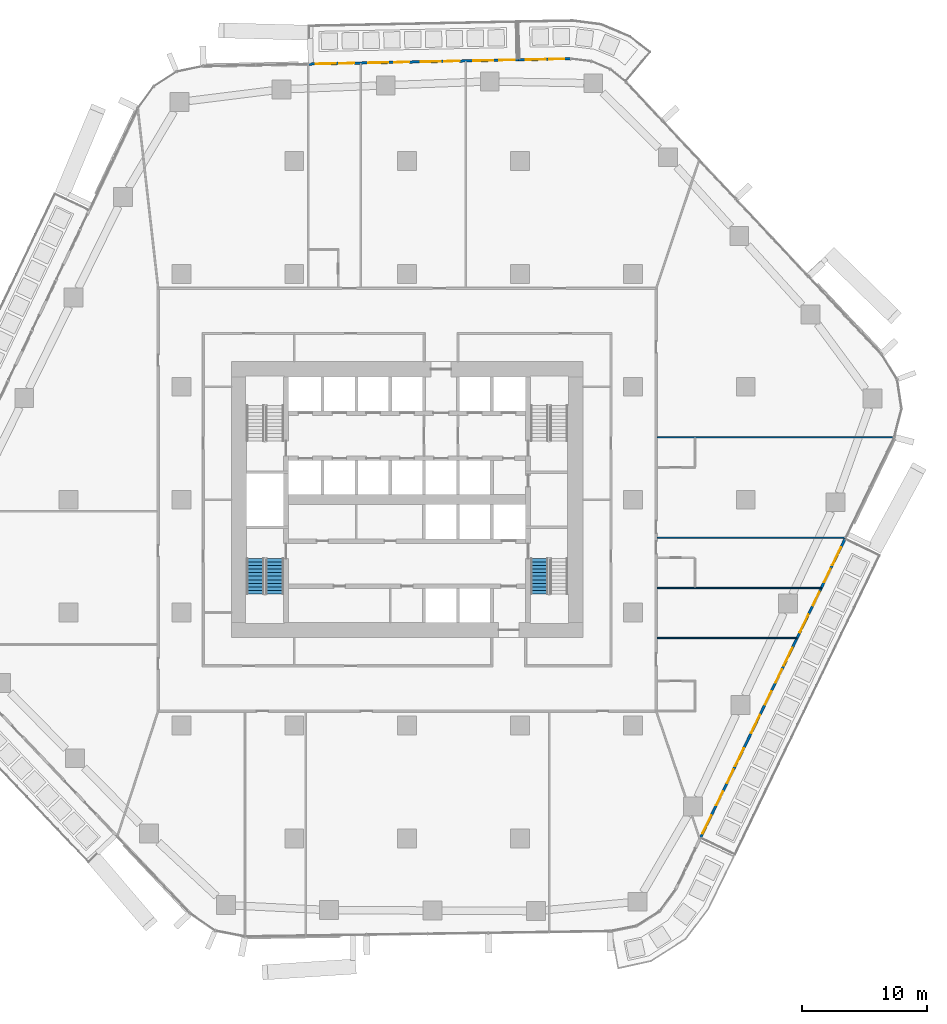
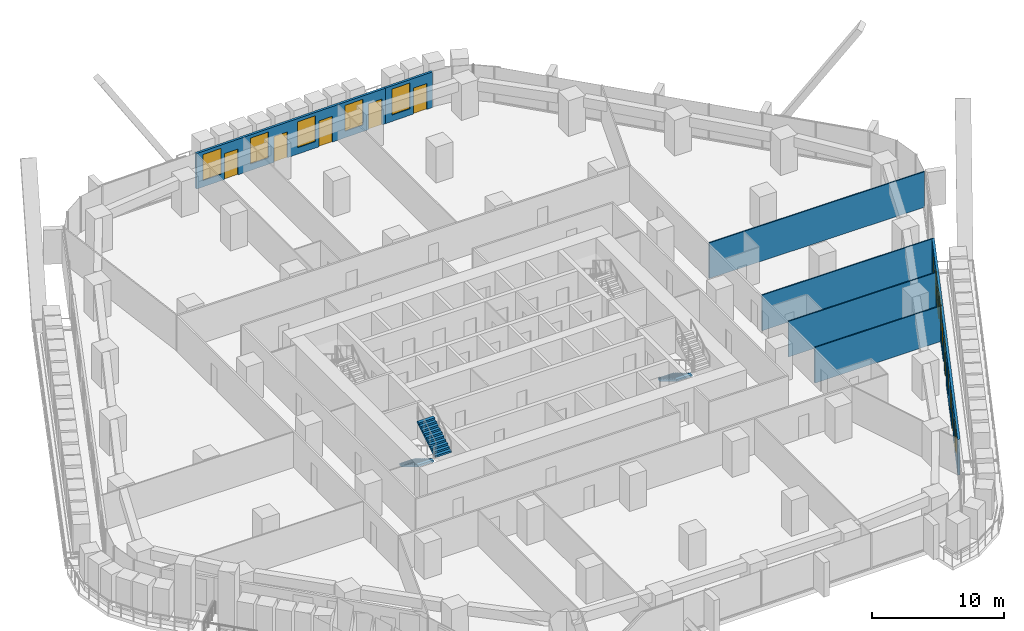
# One storey, part 17 of 24: 11 doors, 11 windows, 7 walls, 3 stair flights, 22 openings, 2 elements without a shape of their own.
"""IFC4 building model written with IfcOpenShell, lengths in metres."""

from ifc_helpers import new_model, si_unit, direction, frame, frame_2d, origin, place, context, subcontext, project, spatial, polyline, rectangle, outline, extrude, material, layer, layer_set, type_object, element, fill, aggregate, save


model = new_model("IFC4")

# Units and contexts
model_context = context("Model", 3, precision=1e-05, world=origin(), true_north=direction((0.0, 1.0)))
body_context = subcontext(model_context, "Body", "Model", "MODEL_VIEW")
ifc_project = project(units=[si_unit("LENGTHUNIT", "METRE"), si_unit("AREAUNIT", "SQUARE_METRE"), si_unit("VOLUMEUNIT", "CUBIC_METRE"), si_unit("PLANEANGLEUNIT", "RADIAN"), si_unit("MASSUNIT", "GRAM", prefix="KILO")], contexts=[model_context])

# Site, building, storey
site_placement = place(None, origin())
site = spatial("IfcSite", under=ifc_project, at=site_placement, CompositionType="ELEMENT")
building_placement = place(site_placement, origin())
building = spatial("IfcBuilding", under=site, at=building_placement, Name="Dongbaek Canopy Tower", CompositionType="ELEMENT")
storey_placement = place(building_placement, frame((0.0, 0.0, 51.39990234375)))
storey = spatial("IfcBuildingStorey", under=building, at=storey_placement, Name="L08", CompositionType="ELEMENT", Elevation=51.39990234375)

# Walls
ifc_material_1 = material(Name="Gypsum board partition, steel stud, 2 x 12.5 mm board", Category="steel")
ifc_layer_1 = layer(ifc_material_1, 0.10009765625)
ifc_layer_set_1 = layer_set([ifc_layer_1], Name="Partition 100 gypsum board")
wall_type_1 = type_object("IfcWallType", Name="Partition 100 gypsum board", PredefinedType="PARTITIONING", material=ifc_layer_set_1)
wall_1_placement = place(storey_placement, frame((19.925048828125, -11.031982421875, 0.0), z_axis=(0.0, 0.0, 1.0), x_axis=(1.0, 0.0, 0.0)))
element("IfcWall", 1, at=wall_1_placement, inside=storey, type_object=wall_type_1, Name="Partition", PredefinedType="PARTITIONING", context=body_context, shape_type="SweptSolid", body=[
    extrude(rectangle(XDim=11.134521484375, YDim=0.10009765625, at=frame_2d((5.5673828125, 0.0))), origin(), (0.0, 0.0, 1.0), 3.300048828125),
])
wall_2_placement = place(storey_placement, frame((19.925048828125, -7.028076171875, 0.0), z_axis=(0.0, 0.0, 1.0), x_axis=(1.0, 0.0, 0.0)))
element("IfcWall", 2, at=wall_2_placement, inside=storey, type_object=wall_type_1, Name="Partition", PredefinedType="PARTITIONING", context=body_context, shape_type="SweptSolid", body=[
    extrude(rectangle(XDim=13.070556640625, YDim=0.10009765625, at=frame_2d((6.53515625, 0.0))), origin(), (0.0, 0.0, 1.0), 3.300048828125),
])
wall_3_placement = place(storey_placement, frame((19.925048828125, -3.02294921875, 0.0), z_axis=(0.0, 0.0, 1.0), x_axis=(1.0, 0.0, 0.0)))
element("IfcWall", 3, at=wall_3_placement, inside=storey, type_object=wall_type_1, Name="Partition", PredefinedType="PARTITIONING", context=body_context, shape_type="SweptSolid", body=[
    extrude(rectangle(XDim=15.00634765625, YDim=0.10009765625, at=frame_2d((7.503173828125, 0.0))), origin(), (0.0, 0.0, 1.0), 3.300048828125),
])
wall_4_placement = place(storey_placement, frame((19.925048828125, 4.97705078125, 0.0), z_axis=(0.0, 0.0, 1.0), x_axis=(1.0, 0.0, 0.0)))
element("IfcWall", 4, at=wall_4_placement, inside=storey, type_object=wall_type_1, Name="Partition", PredefinedType="PARTITIONING", context=body_context, shape_type="SweptSolid", body=[
    extrude(rectangle(XDim=18.874267578125, YDim=0.10009765625, at=frame_2d((9.43701171875, 0.0))), origin(), (0.0, 0.0, 1.0), 3.300048828125),
])

# Wall, openings, doors, windows
ifc_material_2 = material(Name="Aluminium window wall", Category="aluminium")
ifc_layer_2 = layer(ifc_material_2, 0.199951171875)
ifc_layer_set_2 = layer_set([ifc_layer_2], Name="Window wall 200")
wall_type_2 = type_object("IfcWallType", Name="Window wall 200", PredefinedType="SOLIDWALL", material=ifc_layer_set_2)
wall_5_placement = place(storey_placement, frame((8.861572265625, 35.062744140625, 0.0), z_axis=(0.0, 0.0, 1.0), x_axis=(-0.999801543102, -0.01992170701, 0.0)))
wall_5 = element("IfcWall", 5, at=wall_5_placement, inside=storey, type_object=wall_type_2, Name="Window wall L08 1", PredefinedType="SOLIDWALL", context=body_context, shape_type="SweptSolid", body=[
    extrude(rectangle(XDim=16.752685546875, YDim=0.199951171875, at=frame_2d((8.37646484375, 0.0))), origin(), (0.0, 0.0, 1.0), 3.300048828125),
])
opening_1_placement = place(wall_5_placement, frame((2.0, 0.0, 0.60009765625)))
opening_1 = element("IfcOpeningElement", 6, at=opening_1_placement, cuts=wall_5, Name="Opening W1", PredefinedType="OPENING", context=body_context, shape_type="SweptSolid", body=[
    extrude(rectangle(XDim=1.60009765625, YDim=2.39990234375, at=frame_2d((0.800048828125, 1.199951171875))), frame((0.0, 0.10986328125, 0.0), z_axis=(0.0, -1.0, 0.0), x_axis=(1.0, 0.0, 0.0)), (0.0, 0.0, 1.0), 0.219970703125),
])
opening_2_placement = place(wall_5_placement, frame((0.300048828125, 0.0, 0.0)))
opening_2 = element("IfcOpeningElement", 7, at=opening_2_placement, cuts=wall_5, Name="Opening L08-B01", PredefinedType="OPENING", context=body_context, shape_type="SweptSolid", body=[
    extrude(rectangle(XDim=1.199951171875, YDim=2.39990234375, at=frame_2d((0.60009765625, 1.199951171875))), frame((0.0, 0.10986328125, 0.0), z_axis=(0.0, -1.0, 0.0), x_axis=(1.0, 0.0, 0.0)), (0.0, 0.0, 1.0), 0.219970703125),
])
opening_3_placement = place(wall_5_placement, frame((6.188232421875, 0.0, 0.60009765625)))
opening_3 = element("IfcOpeningElement", 8, at=opening_3_placement, cuts=wall_5, Name="Opening W1", PredefinedType="OPENING", context=body_context, shape_type="SweptSolid", body=[
    extrude(rectangle(XDim=1.60009765625, YDim=2.39990234375, at=frame_2d((0.800048828125, 1.199951171875))), frame((0.0, 0.10986328125, 0.0), z_axis=(0.0, -1.0, 0.0), x_axis=(1.0, 0.0, 0.0)), (0.0, 0.0, 1.0), 0.219970703125),
])
opening_4_placement = place(wall_5_placement, frame((4.688232421875, 0.0, 0.0)))
opening_4 = element("IfcOpeningElement", 9, at=opening_4_placement, cuts=wall_5, Name="Opening L08-B02", PredefinedType="OPENING", context=body_context, shape_type="SweptSolid", body=[
    extrude(rectangle(XDim=1.199951171875, YDim=2.39990234375, at=frame_2d((0.60009765625, 1.199951171875))), frame((0.0, 0.10986328125, 0.0), z_axis=(0.0, -1.0, 0.0), x_axis=(1.0, 0.0, 0.0)), (0.0, 0.0, 1.0), 0.219970703125),
])
opening_5_placement = place(wall_5_placement, frame((10.376220703125, 0.0, 0.60009765625)))
opening_5 = element("IfcOpeningElement", 10, at=opening_5_placement, cuts=wall_5, Name="Opening W1", PredefinedType="OPENING", context=body_context, shape_type="SweptSolid", body=[
    extrude(rectangle(XDim=1.60009765625, YDim=2.39990234375, at=frame_2d((0.800048828125, 1.199951171875))), frame((0.0, 0.10986328125, 0.0), z_axis=(0.0, -1.0, 0.0), x_axis=(1.0, 0.0, 0.0)), (0.0, 0.0, 1.0), 0.219970703125),
])
opening_6_placement = place(wall_5_placement, frame((8.67626953125, 0.0, 0.0)))
opening_6 = element("IfcOpeningElement", 11, at=opening_6_placement, cuts=wall_5, Name="Opening L08-B03", PredefinedType="OPENING", context=body_context, shape_type="SweptSolid", body=[
    extrude(rectangle(XDim=1.199951171875, YDim=2.39990234375, at=frame_2d((0.60009765625, 1.199951171875))), frame((0.0, 0.10986328125, 0.0), z_axis=(0.0, -1.0, 0.0), x_axis=(1.0, 0.0, 0.0)), (0.0, 0.0, 1.0), 0.219970703125),
])
opening_7_placement = place(wall_5_placement, frame((14.564453125, 0.0, 0.60009765625)))
opening_7 = element("IfcOpeningElement", 12, at=opening_7_placement, cuts=wall_5, Name="Opening W1", PredefinedType="OPENING", context=body_context, shape_type="SweptSolid", body=[
    extrude(rectangle(XDim=1.60009765625, YDim=2.39990234375, at=frame_2d((0.800048828125, 1.199951171875))), frame((0.0, 0.10986328125, 0.0), z_axis=(0.0, -1.0, 0.0), x_axis=(1.0, 0.0, 0.0)), (0.0, 0.0, 1.0), 0.219970703125),
])
opening_8_placement = place(wall_5_placement, frame((13.064453125, 0.0, 0.0)))
opening_8 = element("IfcOpeningElement", 13, at=opening_8_placement, cuts=wall_5, Name="Opening L08-B04", PredefinedType="OPENING", context=body_context, shape_type="SweptSolid", body=[
    extrude(rectangle(XDim=1.199951171875, YDim=2.39990234375, at=frame_2d((0.60009765625, 1.199951171875))), frame((0.0, 0.10986328125, 0.0), z_axis=(0.0, -1.0, 0.0), x_axis=(1.0, 0.0, 0.0)), (0.0, 0.0, 1.0), 0.219970703125),
])
ifc_material_3 = material(Name="Clear glazing in aluminium frame", Category="aluminium")
door_type = type_object("IfcDoorType", Name="Balcony door BD1 1200 x 2400", OperationType="SLIDING_TO_LEFT", PredefinedType="DOOR", material=ifc_material_3)
door_1_placement = place(opening_2_placement, origin())
door_1 = element("IfcDoor", 14, at=door_1_placement, inside=storey, type_object=door_type, Name="Balcony door L08-B01", OperationType="SLIDING_TO_LEFT", OverallHeight=2.39990234375, OverallWidth=1.199951171875, PredefinedType="DOOR", context=body_context, shape_type="SweptSolid", body=[
    extrude(rectangle(XDim=1.199951171875, YDim=2.39990234375, at=frame_2d((0.60009765625, 1.199951171875))), frame((0.0, 0.02490234375, 0.0), z_axis=(0.0, -1.0, 0.0), x_axis=(1.0, 0.0, 0.0)), (0.0, 0.0, 1.0), 0.050048828125),
])
fill(opening_2, door_1)
door_2_placement = place(opening_4_placement, origin())
door_2 = element("IfcDoor", 15, at=door_2_placement, inside=storey, type_object=door_type, Name="Balcony door L08-B02", OperationType="SLIDING_TO_LEFT", OverallHeight=2.39990234375, OverallWidth=1.199951171875, PredefinedType="DOOR", context=body_context, shape_type="SweptSolid", body=[
    extrude(rectangle(XDim=1.199951171875, YDim=2.39990234375, at=frame_2d((0.60009765625, 1.199951171875))), frame((0.0, 0.02490234375, 0.0), z_axis=(0.0, -1.0, 0.0), x_axis=(1.0, 0.0, 0.0)), (0.0, 0.0, 1.0), 0.050048828125),
])
fill(opening_4, door_2)
door_3_placement = place(opening_6_placement, origin())
door_3 = element("IfcDoor", 16, at=door_3_placement, inside=storey, type_object=door_type, Name="Balcony door L08-B03", OperationType="SLIDING_TO_LEFT", OverallHeight=2.39990234375, OverallWidth=1.199951171875, PredefinedType="DOOR", context=body_context, shape_type="SweptSolid", body=[
    extrude(rectangle(XDim=1.199951171875, YDim=2.39990234375, at=frame_2d((0.60009765625, 1.199951171875))), frame((0.0, 0.02490234375, 0.0), z_axis=(0.0, -1.0, 0.0), x_axis=(1.0, 0.0, 0.0)), (0.0, 0.0, 1.0), 0.050048828125),
])
fill(opening_6, door_3)
door_4_placement = place(opening_8_placement, origin())
door_4 = element("IfcDoor", 17, at=door_4_placement, inside=storey, type_object=door_type, Name="Balcony door L08-B04", OperationType="SLIDING_TO_LEFT", OverallHeight=2.39990234375, OverallWidth=1.199951171875, PredefinedType="DOOR", context=body_context, shape_type="SweptSolid", body=[
    extrude(rectangle(XDim=1.199951171875, YDim=2.39990234375, at=frame_2d((0.60009765625, 1.199951171875))), frame((0.0, 0.02490234375, 0.0), z_axis=(0.0, -1.0, 0.0), x_axis=(1.0, 0.0, 0.0)), (0.0, 0.0, 1.0), 0.050048828125),
])
fill(opening_8, door_4)
ifc_material_4 = material(Name="Clear glazing in aluminium frame", Category="aluminium")
window_type = type_object("IfcWindowType", Name="Window W1 1600 x 2400", PartitioningType="SINGLE_PANEL", PredefinedType="WINDOW", material=ifc_material_4)
window_1_placement = place(opening_1_placement, origin())
window_1 = element("IfcWindow", 18, at=window_1_placement, inside=storey, type_object=window_type, Name="Window L08 1.1", OverallHeight=2.39990234375, OverallWidth=1.60009765625, PartitioningType="SINGLE_PANEL", PredefinedType="WINDOW", context=body_context, shape_type="SweptSolid", body=[
    extrude(rectangle(XDim=1.60009765625, YDim=2.39990234375, at=frame_2d((0.800048828125, 1.199951171875))), frame((0.0, 0.030029296875, 0.0), z_axis=(0.0, -1.0, 0.0), x_axis=(1.0, 0.0, 0.0)), (0.0, 0.0, 1.0), 0.06005859375),
])
fill(opening_1, window_1)
window_2_placement = place(opening_3_placement, origin())
window_2 = element("IfcWindow", 19, at=window_2_placement, inside=storey, type_object=window_type, Name="Window L08 1.2", OverallHeight=2.39990234375, OverallWidth=1.60009765625, PartitioningType="SINGLE_PANEL", PredefinedType="WINDOW", context=body_context, shape_type="SweptSolid", body=[
    extrude(rectangle(XDim=1.60009765625, YDim=2.39990234375, at=frame_2d((0.800048828125, 1.199951171875))), frame((0.0, 0.030029296875, 0.0), z_axis=(0.0, -1.0, 0.0), x_axis=(1.0, 0.0, 0.0)), (0.0, 0.0, 1.0), 0.06005859375),
])
fill(opening_3, window_2)
window_3_placement = place(opening_5_placement, origin())
window_3 = element("IfcWindow", 20, at=window_3_placement, inside=storey, type_object=window_type, Name="Window L08 1.3", OverallHeight=2.39990234375, OverallWidth=1.60009765625, PartitioningType="SINGLE_PANEL", PredefinedType="WINDOW", context=body_context, shape_type="SweptSolid", body=[
    extrude(rectangle(XDim=1.60009765625, YDim=2.39990234375, at=frame_2d((0.800048828125, 1.199951171875))), frame((0.0, 0.030029296875, 0.0), z_axis=(0.0, -1.0, 0.0), x_axis=(1.0, 0.0, 0.0)), (0.0, 0.0, 1.0), 0.06005859375),
])
fill(opening_5, window_3)
window_4_placement = place(opening_7_placement, origin())
window_4 = element("IfcWindow", 21, at=window_4_placement, inside=storey, type_object=window_type, Name="Window L08 1.4", OverallHeight=2.39990234375, OverallWidth=1.60009765625, PartitioningType="SINGLE_PANEL", PredefinedType="WINDOW", context=body_context, shape_type="SweptSolid", body=[
    extrude(rectangle(XDim=1.60009765625, YDim=2.39990234375, at=frame_2d((0.800048828125, 1.199951171875))), frame((0.0, 0.030029296875, 0.0), z_axis=(0.0, -1.0, 0.0), x_axis=(1.0, 0.0, 0.0)), (0.0, 0.0, 1.0), 0.06005859375),
])
fill(opening_7, window_4)

# Wall, openings, door, window
wall_6_placement = place(storey_placement, frame((13.0419921875, 35.14599609375, 0.0), z_axis=(0.0, 0.0, 1.0), x_axis=(-0.999801760637, -0.019910786683, 0.0)))
wall_6 = element("IfcWall", 22, at=wall_6_placement, inside=storey, type_object=wall_type_2, Name="Window wall L08 5", PredefinedType="SOLIDWALL", context=body_context, shape_type="SweptSolid", body=[
    extrude(rectangle(XDim=4.18115234375, YDim=0.199951171875, at=frame_2d((2.090576171875, 0.0))), origin(), (0.0, 0.0, 1.0), 3.300048828125),
])
opening_9_placement = place(wall_6_placement, frame((2.0, 0.0, 0.60009765625)))
opening_9 = element("IfcOpeningElement", 23, at=opening_9_placement, cuts=wall_6, Name="Opening W1", PredefinedType="OPENING", context=body_context, shape_type="SweptSolid", body=[
    extrude(rectangle(XDim=1.60009765625, YDim=2.39990234375, at=frame_2d((0.800048828125, 1.199951171875))), frame((0.0, 0.10986328125, 0.0), z_axis=(0.0, -1.0, 0.0), x_axis=(1.0, 0.0, 0.0)), (0.0, 0.0, 1.0), 0.219970703125),
])
opening_10_placement = place(wall_6_placement, frame((0.5, 0.0, 0.0)))
opening_10 = element("IfcOpeningElement", 24, at=opening_10_placement, cuts=wall_6, Name="Opening L08-B05", PredefinedType="OPENING", context=body_context, shape_type="SweptSolid", body=[
    extrude(rectangle(XDim=1.199951171875, YDim=2.39990234375, at=frame_2d((0.60009765625, 1.199951171875))), frame((0.0, 0.10986328125, 0.0), z_axis=(0.0, -1.0, 0.0), x_axis=(1.0, 0.0, 0.0)), (0.0, 0.0, 1.0), 0.219970703125),
])
door_5_placement = place(opening_10_placement, origin())
door_5 = element("IfcDoor", 25, at=door_5_placement, inside=storey, type_object=door_type, Name="Balcony door L08-B05", OperationType="SLIDING_TO_LEFT", OverallHeight=2.39990234375, OverallWidth=1.199951171875, PredefinedType="DOOR", context=body_context, shape_type="SweptSolid", body=[
    extrude(rectangle(XDim=1.199951171875, YDim=2.39990234375, at=frame_2d((0.60009765625, 1.199951171875))), frame((0.0, 0.02490234375, 0.0), z_axis=(0.0, -1.0, 0.0), x_axis=(1.0, 0.0, 0.0)), (0.0, 0.0, 1.0), 0.050048828125),
])
fill(opening_10, door_5)
window_5_placement = place(opening_9_placement, origin())
window_5 = element("IfcWindow", 26, at=window_5_placement, inside=storey, type_object=window_type, Name="Window L08 5.1", OverallHeight=2.39990234375, OverallWidth=1.60009765625, PartitioningType="SINGLE_PANEL", PredefinedType="WINDOW", context=body_context, shape_type="SweptSolid", body=[
    extrude(rectangle(XDim=1.60009765625, YDim=2.39990234375, at=frame_2d((0.800048828125, 1.199951171875))), frame((0.0, 0.030029296875, 0.0), z_axis=(0.0, -1.0, 0.0), x_axis=(1.0, 0.0, 0.0)), (0.0, 0.0, 1.0), 0.06005859375),
])
fill(opening_9, window_5)

# Wall, openings, doors, windows
wall_7_placement = place(storey_placement, frame((23.337646484375, -27.05126953125, 0.0), z_axis=(0.0, 0.0, 1.0), x_axis=(0.43524886879, 0.900310181114, 0.0)))
wall_7 = element("IfcWall", 27, at=wall_7_placement, inside=storey, type_object=wall_type_2, Name="Window wall L08 4", PredefinedType="SOLIDWALL", context=body_context, shape_type="SweptSolid", body=[
    extrude(rectangle(XDim=26.688720703125, YDim=0.199951171875, at=frame_2d((13.34423828125, 0.0))), origin(), (0.0, 0.0, 1.0), 3.300048828125),
])
opening_11_placement = place(wall_7_placement, frame((0.5, 0.0, 0.60009765625)))
opening_11 = element("IfcOpeningElement", 28, at=opening_11_placement, cuts=wall_7, Name="Opening W1", PredefinedType="OPENING", context=body_context, shape_type="SweptSolid", body=[
    extrude(rectangle(XDim=1.60009765625, YDim=2.39990234375, at=frame_2d((0.800048828125, 1.199951171875))), frame((0.0, 0.10986328125, 0.0), z_axis=(0.0, -1.0, 0.0), x_axis=(1.0, 0.0, 0.0)), (0.0, 0.0, 1.0), 0.219970703125),
])
opening_12_placement = place(wall_7_placement, frame((3.0, 0.0, 0.0)))
opening_12 = element("IfcOpeningElement", 29, at=opening_12_placement, cuts=wall_7, Name="Opening L08-B18", PredefinedType="OPENING", context=body_context, shape_type="SweptSolid", body=[
    extrude(rectangle(XDim=1.199951171875, YDim=2.39990234375, at=frame_2d((0.60009765625, 1.199951171875))), frame((0.0, 0.10986328125, 0.0), z_axis=(0.0, -1.0, 0.0), x_axis=(1.0, 0.0, 0.0)), (0.0, 0.0, 1.0), 0.219970703125),
])
opening_13_placement = place(wall_7_placement, frame((6.447998046875, 0.0, 0.60009765625)))
opening_13 = element("IfcOpeningElement", 30, at=opening_13_placement, cuts=wall_7, Name="Opening W1", PredefinedType="OPENING", context=body_context, shape_type="SweptSolid", body=[
    extrude(rectangle(XDim=1.60009765625, YDim=2.39990234375, at=frame_2d((0.800048828125, 1.199951171875))), frame((0.0, 0.10986328125, 0.0), z_axis=(0.0, -1.0, 0.0), x_axis=(1.0, 0.0, 0.0)), (0.0, 0.0, 1.0), 0.219970703125),
])
opening_14_placement = place(wall_7_placement, frame((4.947998046875, 0.0, 0.0)))
opening_14 = element("IfcOpeningElement", 31, at=opening_14_placement, cuts=wall_7, Name="Opening L08-B19", PredefinedType="OPENING", context=body_context, shape_type="SweptSolid", body=[
    extrude(rectangle(XDim=1.199951171875, YDim=2.39990234375, at=frame_2d((0.60009765625, 1.199951171875))), frame((0.0, 0.10986328125, 0.0), z_axis=(0.0, -1.0, 0.0), x_axis=(1.0, 0.0, 0.0)), (0.0, 0.0, 1.0), 0.219970703125),
])
opening_15_placement = place(wall_7_placement, frame((9.396240234375, 0.0, 0.60009765625)))
opening_15 = element("IfcOpeningElement", 32, at=opening_15_placement, cuts=wall_7, Name="Opening W1", PredefinedType="OPENING", context=body_context, shape_type="SweptSolid", body=[
    extrude(rectangle(XDim=1.60009765625, YDim=2.39990234375, at=frame_2d((0.800048828125, 1.199951171875))), frame((0.0, 0.10986328125, 0.0), z_axis=(0.0, -1.0, 0.0), x_axis=(1.0, 0.0, 0.0)), (0.0, 0.0, 1.0), 0.219970703125),
])
opening_16_placement = place(wall_7_placement, frame((11.896240234375, 0.0, 0.0)))
opening_16 = element("IfcOpeningElement", 33, at=opening_16_placement, cuts=wall_7, Name="Opening L08-B20", PredefinedType="OPENING", context=body_context, shape_type="SweptSolid", body=[
    extrude(rectangle(XDim=1.199951171875, YDim=2.39990234375, at=frame_2d((0.60009765625, 1.199951171875))), frame((0.0, 0.10986328125, 0.0), z_axis=(0.0, -1.0, 0.0), x_axis=(1.0, 0.0, 0.0)), (0.0, 0.0, 1.0), 0.219970703125),
])
opening_17_placement = place(wall_7_placement, frame((15.34423828125, 0.0, 0.60009765625)))
opening_17 = element("IfcOpeningElement", 34, at=opening_17_placement, cuts=wall_7, Name="Opening W1", PredefinedType="OPENING", context=body_context, shape_type="SweptSolid", body=[
    extrude(rectangle(XDim=1.60009765625, YDim=2.39990234375, at=frame_2d((0.800048828125, 1.199951171875))), frame((0.0, 0.10986328125, 0.0), z_axis=(0.0, -1.0, 0.0), x_axis=(1.0, 0.0, 0.0)), (0.0, 0.0, 1.0), 0.219970703125),
])
opening_18_placement = place(wall_7_placement, frame((13.84423828125, 0.0, 0.0)))
opening_18 = element("IfcOpeningElement", 35, at=opening_18_placement, cuts=wall_7, Name="Opening L08-B21", PredefinedType="OPENING", context=body_context, shape_type="SweptSolid", body=[
    extrude(rectangle(XDim=1.199951171875, YDim=2.39990234375, at=frame_2d((0.60009765625, 1.199951171875))), frame((0.0, 0.10986328125, 0.0), z_axis=(0.0, -1.0, 0.0), x_axis=(1.0, 0.0, 0.0)), (0.0, 0.0, 1.0), 0.219970703125),
])
opening_19_placement = place(wall_7_placement, frame((18.29248046875, 0.0, 0.60009765625)))
opening_19 = element("IfcOpeningElement", 36, at=opening_19_placement, cuts=wall_7, Name="Opening W1", PredefinedType="OPENING", context=body_context, shape_type="SweptSolid", body=[
    extrude(rectangle(XDim=1.60009765625, YDim=2.39990234375, at=frame_2d((0.800048828125, 1.199951171875))), frame((0.0, 0.10986328125, 0.0), z_axis=(0.0, -1.0, 0.0), x_axis=(1.0, 0.0, 0.0)), (0.0, 0.0, 1.0), 0.219970703125),
])
opening_20_placement = place(wall_7_placement, frame((20.6923828125, 0.0, 0.0)))
opening_20 = element("IfcOpeningElement", 37, at=opening_20_placement, cuts=wall_7, Name="Opening L08-B22", PredefinedType="OPENING", context=body_context, shape_type="SweptSolid", body=[
    extrude(rectangle(XDim=1.199951171875, YDim=2.39990234375, at=frame_2d((0.60009765625, 1.199951171875))), frame((0.0, 0.10986328125, 0.0), z_axis=(0.0, -1.0, 0.0), x_axis=(1.0, 0.0, 0.0)), (0.0, 0.0, 1.0), 0.219970703125),
])
opening_21_placement = place(wall_7_placement, frame((24.240478515625, 0.0, 0.60009765625)))
opening_21 = element("IfcOpeningElement", 38, at=opening_21_placement, cuts=wall_7, Name="Opening W1", PredefinedType="OPENING", context=body_context, shape_type="SweptSolid", body=[
    extrude(rectangle(XDim=1.60009765625, YDim=2.39990234375, at=frame_2d((0.800048828125, 1.199951171875))), frame((0.0, 0.10986328125, 0.0), z_axis=(0.0, -1.0, 0.0), x_axis=(1.0, 0.0, 0.0)), (0.0, 0.0, 1.0), 0.219970703125),
])
opening_22_placement = place(wall_7_placement, frame((22.740478515625, 0.0, 0.0)))
opening_22 = element("IfcOpeningElement", 39, at=opening_22_placement, cuts=wall_7, Name="Opening L08-B23", PredefinedType="OPENING", context=body_context, shape_type="SweptSolid", body=[
    extrude(rectangle(XDim=1.199951171875, YDim=2.39990234375, at=frame_2d((0.60009765625, 1.199951171875))), frame((0.0, 0.10986328125, 0.0), z_axis=(0.0, -1.0, 0.0), x_axis=(1.0, 0.0, 0.0)), (0.0, 0.0, 1.0), 0.219970703125),
])
door_6_placement = place(opening_12_placement, origin())
door_6 = element("IfcDoor", 40, at=door_6_placement, inside=storey, type_object=door_type, Name="Balcony door L08-B18", OperationType="SLIDING_TO_LEFT", OverallHeight=2.39990234375, OverallWidth=1.199951171875, PredefinedType="DOOR", context=body_context, shape_type="SweptSolid", body=[
    extrude(rectangle(XDim=1.199951171875, YDim=2.39990234375, at=frame_2d((0.60009765625, 1.199951171875))), frame((0.0, 0.02490234375, 0.0), z_axis=(0.0, -1.0, 0.0), x_axis=(1.0, 0.0, 0.0)), (0.0, 0.0, 1.0), 0.050048828125),
])
fill(opening_12, door_6)
door_7_placement = place(opening_14_placement, origin())
door_7 = element("IfcDoor", 41, at=door_7_placement, inside=storey, type_object=door_type, Name="Balcony door L08-B19", OperationType="SLIDING_TO_LEFT", OverallHeight=2.39990234375, OverallWidth=1.199951171875, PredefinedType="DOOR", context=body_context, shape_type="SweptSolid", body=[
    extrude(rectangle(XDim=1.199951171875, YDim=2.39990234375, at=frame_2d((0.60009765625, 1.199951171875))), frame((0.0, 0.02490234375, 0.0), z_axis=(0.0, -1.0, 0.0), x_axis=(1.0, 0.0, 0.0)), (0.0, 0.0, 1.0), 0.050048828125),
])
fill(opening_14, door_7)
door_8_placement = place(opening_16_placement, origin())
door_8 = element("IfcDoor", 42, at=door_8_placement, inside=storey, type_object=door_type, Name="Balcony door L08-B20", OperationType="SLIDING_TO_LEFT", OverallHeight=2.39990234375, OverallWidth=1.199951171875, PredefinedType="DOOR", context=body_context, shape_type="SweptSolid", body=[
    extrude(rectangle(XDim=1.199951171875, YDim=2.39990234375, at=frame_2d((0.60009765625, 1.199951171875))), frame((0.0, 0.02490234375, 0.0), z_axis=(0.0, -1.0, 0.0), x_axis=(1.0, 0.0, 0.0)), (0.0, 0.0, 1.0), 0.050048828125),
])
fill(opening_16, door_8)
door_9_placement = place(opening_18_placement, origin())
door_9 = element("IfcDoor", 43, at=door_9_placement, inside=storey, type_object=door_type, Name="Balcony door L08-B21", OperationType="SLIDING_TO_LEFT", OverallHeight=2.39990234375, OverallWidth=1.199951171875, PredefinedType="DOOR", context=body_context, shape_type="SweptSolid", body=[
    extrude(rectangle(XDim=1.199951171875, YDim=2.39990234375, at=frame_2d((0.60009765625, 1.199951171875))), frame((0.0, 0.02490234375, 0.0), z_axis=(0.0, -1.0, 0.0), x_axis=(1.0, 0.0, 0.0)), (0.0, 0.0, 1.0), 0.050048828125),
])
fill(opening_18, door_9)
door_10_placement = place(opening_20_placement, origin())
door_10 = element("IfcDoor", 44, at=door_10_placement, inside=storey, type_object=door_type, Name="Balcony door L08-B22", OperationType="SLIDING_TO_LEFT", OverallHeight=2.39990234375, OverallWidth=1.199951171875, PredefinedType="DOOR", context=body_context, shape_type="SweptSolid", body=[
    extrude(rectangle(XDim=1.199951171875, YDim=2.39990234375, at=frame_2d((0.60009765625, 1.199951171875))), frame((0.0, 0.02490234375, 0.0), z_axis=(0.0, -1.0, 0.0), x_axis=(1.0, 0.0, 0.0)), (0.0, 0.0, 1.0), 0.050048828125),
])
fill(opening_20, door_10)
door_11_placement = place(opening_22_placement, origin())
door_11 = element("IfcDoor", 45, at=door_11_placement, inside=storey, type_object=door_type, Name="Balcony door L08-B23", OperationType="SLIDING_TO_LEFT", OverallHeight=2.39990234375, OverallWidth=1.199951171875, PredefinedType="DOOR", context=body_context, shape_type="SweptSolid", body=[
    extrude(rectangle(XDim=1.199951171875, YDim=2.39990234375, at=frame_2d((0.60009765625, 1.199951171875))), frame((0.0, 0.02490234375, 0.0), z_axis=(0.0, -1.0, 0.0), x_axis=(1.0, 0.0, 0.0)), (0.0, 0.0, 1.0), 0.050048828125),
])
fill(opening_22, door_11)
window_6_placement = place(opening_11_placement, origin())
window_6 = element("IfcWindow", 46, at=window_6_placement, inside=storey, type_object=window_type, Name="Window L08 4.1", OverallHeight=2.39990234375, OverallWidth=1.60009765625, PartitioningType="SINGLE_PANEL", PredefinedType="WINDOW", context=body_context, shape_type="SweptSolid", body=[
    extrude(rectangle(XDim=1.60009765625, YDim=2.39990234375, at=frame_2d((0.800048828125, 1.199951171875))), frame((0.0, 0.030029296875, 0.0), z_axis=(0.0, -1.0, 0.0), x_axis=(1.0, 0.0, 0.0)), (0.0, 0.0, 1.0), 0.06005859375),
])
fill(opening_11, window_6)
window_7_placement = place(opening_13_placement, origin())
window_7 = element("IfcWindow", 47, at=window_7_placement, inside=storey, type_object=window_type, Name="Window L08 4.2", OverallHeight=2.39990234375, OverallWidth=1.60009765625, PartitioningType="SINGLE_PANEL", PredefinedType="WINDOW", context=body_context, shape_type="SweptSolid", body=[
    extrude(rectangle(XDim=1.60009765625, YDim=2.39990234375, at=frame_2d((0.800048828125, 1.199951171875))), frame((0.0, 0.030029296875, 0.0), z_axis=(0.0, -1.0, 0.0), x_axis=(1.0, 0.0, 0.0)), (0.0, 0.0, 1.0), 0.06005859375),
])
fill(opening_13, window_7)
window_8_placement = place(opening_15_placement, origin())
window_8 = element("IfcWindow", 48, at=window_8_placement, inside=storey, type_object=window_type, Name="Window L08 4.3", OverallHeight=2.39990234375, OverallWidth=1.60009765625, PartitioningType="SINGLE_PANEL", PredefinedType="WINDOW", context=body_context, shape_type="SweptSolid", body=[
    extrude(rectangle(XDim=1.60009765625, YDim=2.39990234375, at=frame_2d((0.800048828125, 1.199951171875))), frame((0.0, 0.030029296875, 0.0), z_axis=(0.0, -1.0, 0.0), x_axis=(1.0, 0.0, 0.0)), (0.0, 0.0, 1.0), 0.06005859375),
])
fill(opening_15, window_8)
window_9_placement = place(opening_17_placement, origin())
window_9 = element("IfcWindow", 49, at=window_9_placement, inside=storey, type_object=window_type, Name="Window L08 4.4", OverallHeight=2.39990234375, OverallWidth=1.60009765625, PartitioningType="SINGLE_PANEL", PredefinedType="WINDOW", context=body_context, shape_type="SweptSolid", body=[
    extrude(rectangle(XDim=1.60009765625, YDim=2.39990234375, at=frame_2d((0.800048828125, 1.199951171875))), frame((0.0, 0.030029296875, 0.0), z_axis=(0.0, -1.0, 0.0), x_axis=(1.0, 0.0, 0.0)), (0.0, 0.0, 1.0), 0.06005859375),
])
fill(opening_17, window_9)
window_10_placement = place(opening_19_placement, origin())
window_10 = element("IfcWindow", 50, at=window_10_placement, inside=storey, type_object=window_type, Name="Window L08 4.5", OverallHeight=2.39990234375, OverallWidth=1.60009765625, PartitioningType="SINGLE_PANEL", PredefinedType="WINDOW", context=body_context, shape_type="SweptSolid", body=[
    extrude(rectangle(XDim=1.60009765625, YDim=2.39990234375, at=frame_2d((0.800048828125, 1.199951171875))), frame((0.0, 0.030029296875, 0.0), z_axis=(0.0, -1.0, 0.0), x_axis=(1.0, 0.0, 0.0)), (0.0, 0.0, 1.0), 0.06005859375),
])
fill(opening_19, window_10)
window_11_placement = place(opening_21_placement, origin())
window_11 = element("IfcWindow", 51, at=window_11_placement, inside=storey, type_object=window_type, Name="Window L08 4.6", OverallHeight=2.39990234375, OverallWidth=1.60009765625, PartitioningType="SINGLE_PANEL", PredefinedType="WINDOW", context=body_context, shape_type="SweptSolid", body=[
    extrude(rectangle(XDim=1.60009765625, YDim=2.39990234375, at=frame_2d((0.800048828125, 1.199951171875))), frame((0.0, 0.030029296875, 0.0), z_axis=(0.0, -1.0, 0.0), x_axis=(1.0, 0.0, 0.0)), (0.0, 0.0, 1.0), 0.06005859375),
])
fill(opening_21, window_11)

# Stair, stair flight
ifc_material_5 = material(Name="Concrete C40/50", Category="concrete")
stair_type = type_object("IfcStairType", Name="Core exit stair", PredefinedType="HALF_TURN_STAIR", material=ifc_material_5)
stair_1_placement = place(storey_placement, origin())
stair_1 = element("IfcStair", 52, at=stair_1_placement, inside=storey, type_object=stair_type, Name="L08 exit stair B", PredefinedType="HALF_TURN_STAIR")
ifc_material_6 = material(Name="Concrete C40/50", Category="concrete")
ifc_layer_3 = layer(ifc_material_6, 0.14990234375)
ifc_layer_set_3 = layer_set([ifc_layer_3], Name="Core stair flight 150 waist")
stair_flight_type = type_object("IfcStairFlightType", Name="Core stair flight 150 waist", PredefinedType="STRAIGHT", material=ifc_layer_set_3)
stair_flight_1_placement = place(storey_placement, frame((10.550048828125, -4.699951171875, 0.0), z_axis=(0.0, 0.0, 1.0), x_axis=(0.0, -1.0, 0.0)))
stair_flight_1 = element("IfcStairFlight", 53, at=stair_flight_1_placement, type_object=stair_flight_type, Name="ST-B flight 1", NumberOfRisers=11, NumberOfTreads=10, PredefinedType="STRAIGHT", RiserHeight=0.168181818, TreadLength=0.28, context=body_context, shape_type="SweptSolid", body=[
    extrude(outline(polyline([(0.0, 0.0), (0.0, 0.168212890625), (0.280029296875, 0.168212890625), (0.280029296875, 0.33642578125), (0.56005859375, 0.33642578125), (0.56005859375, 0.504638671875), (0.840087890625, 0.504638671875), (0.840087890625, 0.672607421875), (1.1201171875, 0.672607421875), (1.1201171875, 0.8408203125), (1.39990234375, 0.8408203125), (1.39990234375, 1.009033203125), (1.679931640625, 1.009033203125), (1.679931640625, 1.17724609375), (1.9599609375, 1.17724609375), (1.9599609375, 1.345458984375), (2.239990234375, 1.345458984375), (2.239990234375, 1.513671875), (2.52001953125, 1.513671875), (2.52001953125, 1.681884765625), (2.800048828125, 1.681884765625), (2.800048828125, 1.85009765625), (2.800048828125, 1.5068359375), (0.291015625, 0.0), (0.0, 0.0)])), frame((0.0, 0.699951171875, 0.0), z_axis=(0.0, -1.0, 0.0), x_axis=(1.0, 0.0, 0.0)), (0.0, 0.0, 1.0), 1.39990234375),
])
aggregate(stair_1, [stair_flight_1])

# Stair, stair flights
stair_2_placement = place(storey_placement, origin())
stair_2 = element("IfcStair", 54, at=stair_2_placement, inside=storey, type_object=stair_type, Name="L08 exit stair D", PredefinedType="HALF_TURN_STAIR")
stair_flight_2_placement = place(storey_placement, frame((-12.10009765625, -4.699951171875, 0.0), z_axis=(0.0, 0.0, 1.0), x_axis=(0.0, -1.0, 0.0)))
stair_flight_2 = element("IfcStairFlight", 55, at=stair_flight_2_placement, type_object=stair_flight_type, Name="ST-D flight 1", NumberOfRisers=11, NumberOfTreads=10, PredefinedType="STRAIGHT", RiserHeight=0.168181818, TreadLength=0.28, context=body_context, shape_type="SweptSolid", body=[
    extrude(outline(polyline([(0.0, 0.0), (0.0, 0.168212890625), (0.280029296875, 0.168212890625), (0.280029296875, 0.33642578125), (0.56005859375, 0.33642578125), (0.56005859375, 0.504638671875), (0.840087890625, 0.504638671875), (0.840087890625, 0.672607421875), (1.1201171875, 0.672607421875), (1.1201171875, 0.8408203125), (1.39990234375, 0.8408203125), (1.39990234375, 1.009033203125), (1.679931640625, 1.009033203125), (1.679931640625, 1.17724609375), (1.9599609375, 1.17724609375), (1.9599609375, 1.345458984375), (2.239990234375, 1.345458984375), (2.239990234375, 1.513671875), (2.52001953125, 1.513671875), (2.52001953125, 1.681884765625), (2.800048828125, 1.681884765625), (2.800048828125, 1.85009765625), (2.800048828125, 1.5068359375), (0.291015625, 0.0), (0.0, 0.0)])), frame((0.0, 0.699951171875, 0.0), z_axis=(0.0, -1.0, 0.0), x_axis=(1.0, 0.0, 0.0)), (0.0, 0.0, 1.0), 1.39990234375),
])
stair_flight_3_placement = place(storey_placement, frame((-10.550048828125, -7.5, 1.85009765625), z_axis=(0.0, 0.0, 1.0), x_axis=(0.0, 1.0, 0.0)))
stair_flight_3 = element("IfcStairFlight", 56, at=stair_flight_3_placement, type_object=stair_flight_type, Name="ST-D flight 2", NumberOfRisers=11, NumberOfTreads=10, PredefinedType="STRAIGHT", RiserHeight=0.168181818, TreadLength=0.28, context=body_context, shape_type="SweptSolid", body=[
    extrude(outline(polyline([(0.0, 0.0), (0.0, 0.168212890625), (0.280029296875, 0.168212890625), (0.280029296875, 0.33642578125), (0.56005859375, 0.33642578125), (0.56005859375, 0.504638671875), (0.840087890625, 0.504638671875), (0.840087890625, 0.672607421875), (1.1201171875, 0.672607421875), (1.1201171875, 0.8408203125), (1.39990234375, 0.8408203125), (1.39990234375, 1.009033203125), (1.679931640625, 1.009033203125), (1.679931640625, 1.17724609375), (1.9599609375, 1.17724609375), (1.9599609375, 1.345458984375), (2.239990234375, 1.345458984375), (2.239990234375, 1.513671875), (2.52001953125, 1.513671875), (2.52001953125, 1.681884765625), (2.800048828125, 1.681884765625), (2.800048828125, 1.85009765625), (2.800048828125, 1.5068359375), (0.291015625, 0.0), (0.0, 0.0)])), frame((0.0, 0.699951171875, 0.0), z_axis=(0.0, -1.0, 0.0), x_axis=(1.0, 0.0, 0.0)), (0.0, 0.0, 1.0), 1.39990234375),
])
aggregate(stair_2, [stair_flight_2, stair_flight_3])

save(model, "model.ifc")
